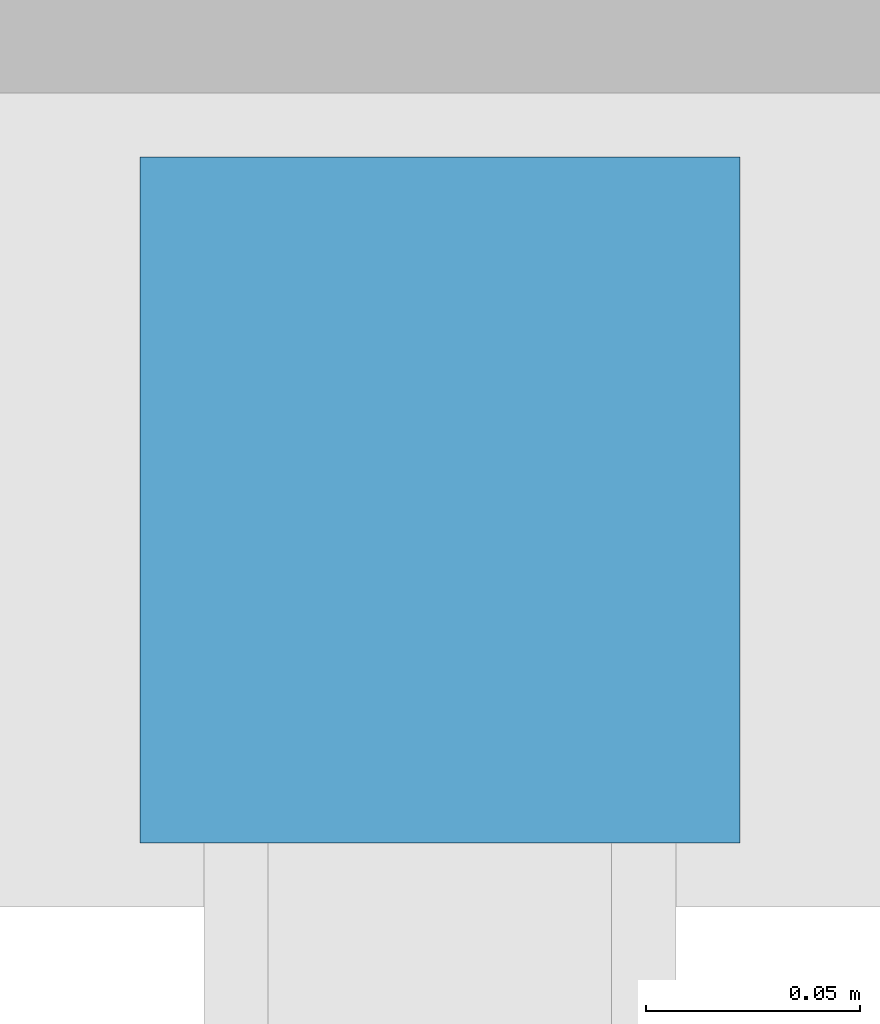
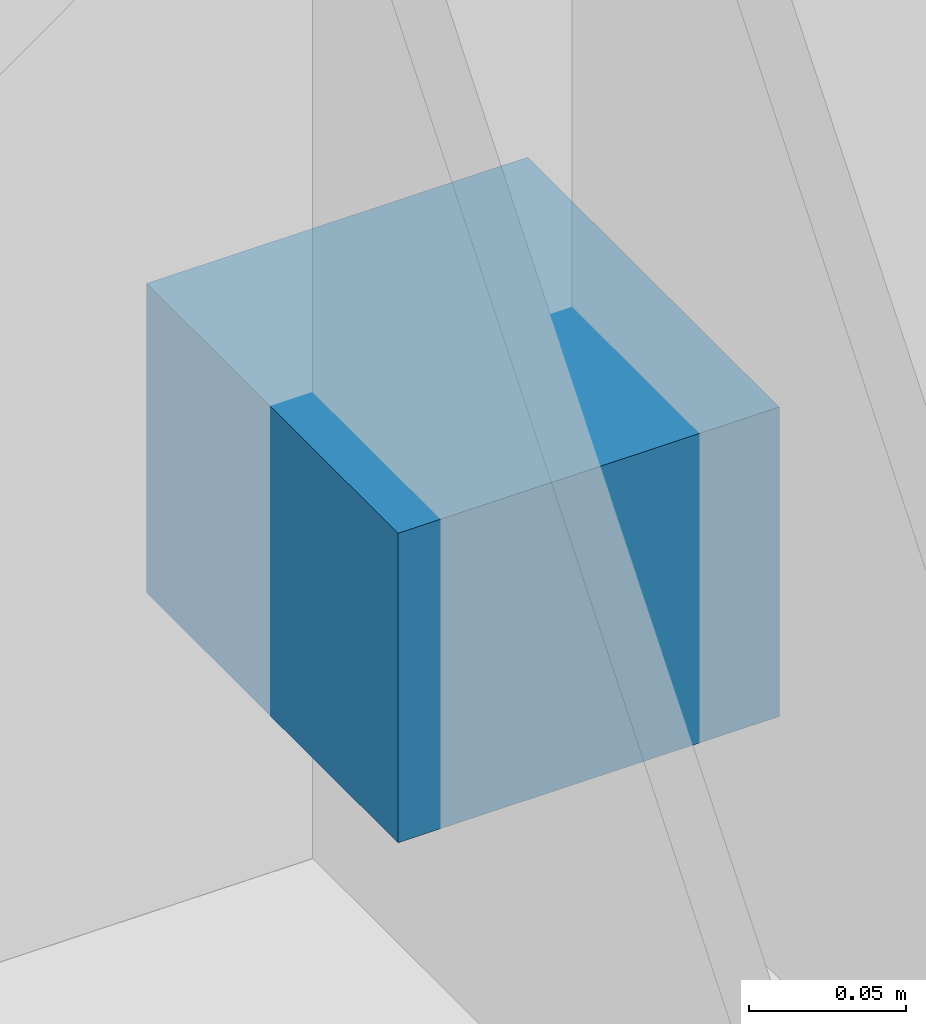
# One storey, part 111 of 124: 1 discrete accessory.
"""IFC4 building model written with IfcOpenShell, lengths in metres."""

from ifc_helpers import new_model, si_unit, direction, frame, origin, origin_2d, place, context, subcontext, project, spatial, rectangle, extrude, material, type_object, element, save


model = new_model("IFC4")

# Units and contexts
model_context = context("Model", 3, precision=1e-05, world=origin(), true_north=direction((0.0, 1.0)))
body_context = subcontext(model_context, "Body", "Model", "MODEL_VIEW")
ifc_project = project(units=[si_unit("LENGTHUNIT", "METRE"), si_unit("AREAUNIT", "SQUARE_METRE"), si_unit("VOLUMEUNIT", "CUBIC_METRE"), si_unit("PLANEANGLEUNIT", "RADIAN"), si_unit("MASSUNIT", "GRAM", prefix="KILO")], contexts=[model_context])

# Site, building, storey
site_placement = place(None, origin())
site = spatial("IfcSite", under=ifc_project, at=site_placement, CompositionType="ELEMENT")
building_placement = place(site_placement, origin())
building = spatial("IfcBuilding", under=site, at=building_placement, Name="Sundkrona Museum", CompositionType="ELEMENT")
storey_placement = place(building_placement, frame((0.0, 0.0, 17.60009765625)))
storey = spatial("IfcBuildingStorey", under=building, at=storey_placement, Name="L03", CompositionType="ELEMENT", Elevation=17.60009765625)

# Discrete accessory
ifc_material = material(Name="Stainless Steel EN 1.4404 Cleat", Category="steel")
discrete_accessory_type = type_object("IfcDiscreteAccessoryType", Name="BRK-FIN-01", PredefinedType="BRACKET", material=ifc_material)
discrete_accessory_placement = place(storey_placement, frame((67.199951171875, 78.0, 0.059814453125), z_axis=(0.0, 0.0, 1.0), x_axis=(1.0, 0.0, 0.0)))
element("IfcDiscreteAccessory", 1, at=discrete_accessory_placement, inside=storey, type_object=discrete_accessory_type, Name="L03 Fin Bracket S-126", PredefinedType="BRACKET", context=body_context, shape_type="SweptSolid", body=[
    extrude(rectangle(XDim=0.139892578125, YDim=0.159912109375, at=origin_2d()), origin(), (0.0, 0.0, 1.0), 0.1201171875),
])

save(model, "model.ifc")
